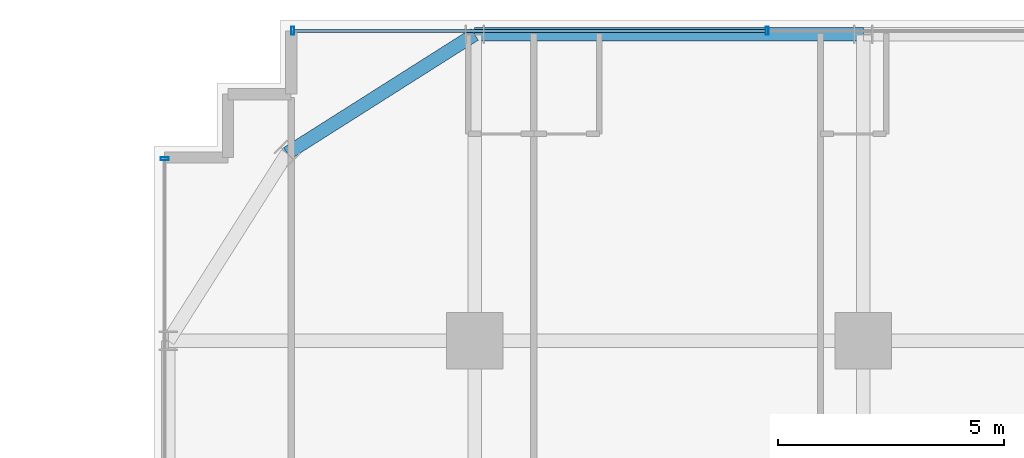
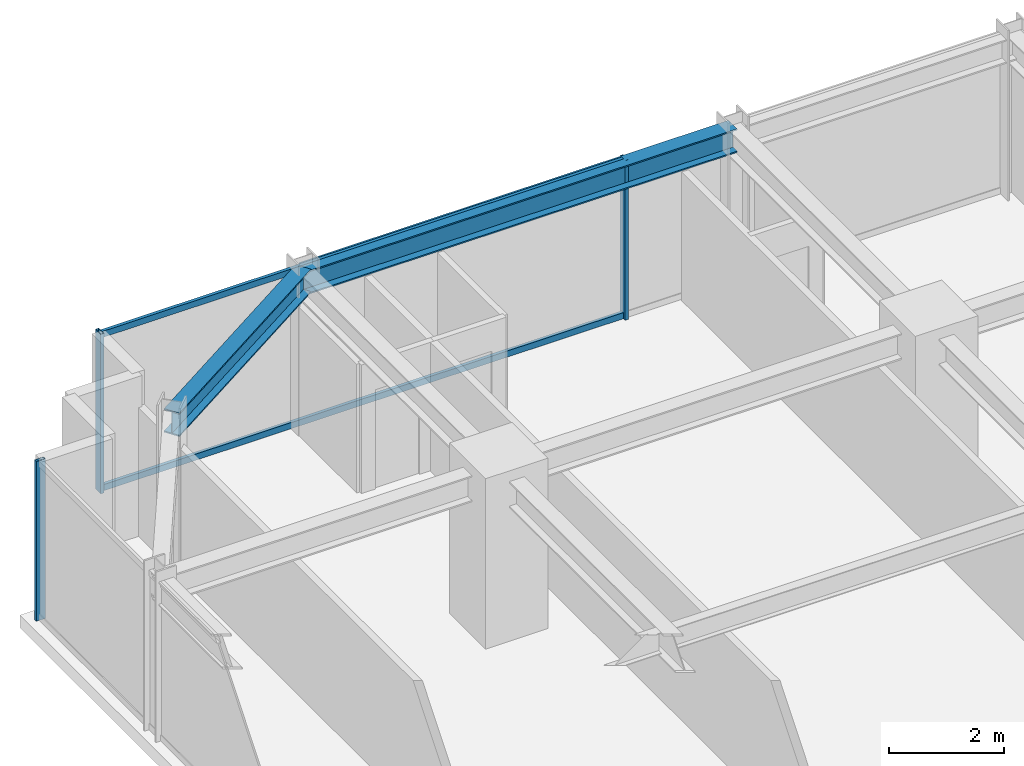
# One storey, part 19 of 32: 5 members, 2 beams, 2 elements without a shape of their own.
"""IFC4 building model written with IfcOpenShell, lengths in metres."""

from ifc_helpers import new_model, si_unit, direction, frame, origin, origin_2d, place, context, subcontext, project, spatial, hollow_rectangle, i_section, extrude, source, transform, mapped, material, material_profile, profile_set, type_object, element, aggregate, save


model = new_model("IFC4")

# Units and contexts
model_context = context("Model", 3, precision=1e-05, world=origin(), true_north=direction((0.0, 1.0)))
body_context = subcontext(model_context, "Body", "Model", "MODEL_VIEW")
ifc_project = project(units=[si_unit("LENGTHUNIT", "METRE"), si_unit("AREAUNIT", "SQUARE_METRE"), si_unit("VOLUMEUNIT", "CUBIC_METRE"), si_unit("PLANEANGLEUNIT", "RADIAN"), si_unit("MASSUNIT", "GRAM", prefix="KILO")], contexts=[model_context])

# Site, building, storey
site_placement = place(None, origin())
site = spatial("IfcSite", under=ifc_project, at=site_placement, CompositionType="ELEMENT")
building_placement = place(site_placement, origin())
building = spatial("IfcBuilding", under=site, at=building_placement, Name="Nahalor Promenade Grand Hotel", CompositionType="ELEMENT")
storey_placement = place(building_placement, frame((0.0, 0.0, 124.800048828125)))
storey = spatial("IfcBuildingStorey", under=building, at=storey_placement, Name="L31", CompositionType="ELEMENT", Elevation=124.800048828125)

# Beams
ifc_material_1 = material(Name="Steel S355JR", Category="steel")
ifc_material_profile_1 = material_profile(ifc_material_1, i_section(OverallWidth=0.3, OverallDepth=0.5, WebThickness=0.0145, FlangeThickness=0.028, at=origin_2d()), Name="HEB 500")
ifc_profile_set_1 = profile_set([ifc_material_profile_1], Name="Steel S355JR")
beam_type = type_object("IfcBeamType", Name="Beam-Spandrel-HEB500", PredefinedType="SPANDREL", material=ifc_profile_set_1)
shared_shape_1 = source(origin(), body_context, "Body", "SweptSolid", [
    extrude(i_section(OverallWidth=0.3, OverallDepth=0.5, WebThickness=0.0145, FlangeThickness=0.028, at=origin_2d()), origin(), (0.0, 0.0, 1.0), 8.60009765625),
])
beam_1_placement = place(storey_placement, frame((-17.0, 23.780029296875, 3.1298828125), z_axis=(1.0, 0.0, 0.0), x_axis=(0.0, 1.0, 0.0)))
element("IfcBeam", 1, at=beam_1_placement, inside=storey, type_object=beam_type, Name="BM-L31-SP-N-0", PredefinedType="SPANDREL", context=body_context, shape_type="MappedRepresentation", body=[
    mapped(shared_shape_1, transform((0.0, 0.0, 0.0), scale=1.0)),
])
shared_shape_2 = source(origin(), body_context, "Body", "SweptSolid", [
    extrude(i_section(OverallWidth=0.3, OverallDepth=0.5, WebThickness=0.0145, FlangeThickness=0.028, at=origin_2d()), origin(), (0.0, 0.0, 1.0), 4.9130859375),
])
beam_2_placement = place(storey_placement, frame((-17.0, 23.780029296875, 3.1298828125), z_axis=(-0.844648325505, -0.535321591403, 0.0), x_axis=(0.535321591403, -0.844648325505, 0.0)))
element("IfcBeam", 2, at=beam_2_placement, inside=storey, type_object=beam_type, Name="BM-L31-SPC-NW-1", PredefinedType="SPANDREL", context=body_context, shape_type="MappedRepresentation", body=[
    mapped(shared_shape_2, transform((0.0, 0.0, 0.0), scale=1.0)),
])

# Curtain wall, members
ifc_material_2 = material(Name="Anodised Bronze Aluminium EN AW-6063 T6", Category="aluminium")
curtain_wall_type = type_object("IfcCurtainWallType", Name="CW2 Typical Hotel Flush Bronze Unitised Curtain Wall", PredefinedType="USERDEFINED", material=ifc_material_2)
curtain_wall_1_placement = place(storey_placement, origin())
curtain_wall_1 = element("IfcCurtainWall", 3, at=curtain_wall_1_placement, inside=storey, type_object=curtain_wall_type, Name="L31 Curtain Wall CW-L31-N-1", ObjectType="UNITISED_CURTAIN_WALL", PredefinedType="USERDEFINED")
ifc_material_profile_2 = material_profile(ifc_material_2, hollow_rectangle(XDim=0.065, YDim=0.18, WallThickness=0.004, at=origin_2d()), Name="CWM 65x180x4")
ifc_profile_set_2 = profile_set([ifc_material_profile_2], Name="Anodised Bronze Aluminium EN AW-6063 T6")
member_type_1 = type_object("IfcMemberType", Name="CWM2 Typical Bronze Mullion 65x180", PredefinedType="MULLION", material=ifc_profile_set_2)
shared_shape_3 = source(origin(), body_context, "Body", "SweptSolid", [
    extrude(hollow_rectangle(XDim=0.065, YDim=0.18, WallThickness=0.004, at=origin_2d()), origin(), (0.0, 0.0, 1.0), 3.3798828125),
])
member_1_placement = place(storey_placement, frame((-21.027587890625, 23.860107421875, 0.0), z_axis=(0.0, 0.0, 1.0), x_axis=(1.0, 0.0, 0.0)))
member_1 = element("IfcMember", 4, at=member_1_placement, type_object=member_type_1, Name="CW-L31-N-1 Mullion 0", PredefinedType="MULLION", context=body_context, shape_type="MappedRepresentation", body=[
    mapped(shared_shape_3, transform((0.0, 0.0, 0.0), scale=1.0)),
])
member_2_placement = place(storey_placement, frame((-10.530029296875, 23.860107421875, 0.0), z_axis=(0.0, 0.0, 1.0), x_axis=(1.0, 0.0, 0.0)))
member_2 = element("IfcMember", 5, at=member_2_placement, type_object=member_type_1, Name="CW-L31-N-1 Mullion 1", PredefinedType="MULLION", context=body_context, shape_type="MappedRepresentation", body=[
    mapped(shared_shape_3, transform((0.0, 0.0, 0.0), scale=1.0)),
])

# Curtain wall, member
curtain_wall_2_placement = place(storey_placement, origin())
curtain_wall_2 = element("IfcCurtainWall", 6, at=curtain_wall_2_placement, inside=storey, type_object=curtain_wall_type, Name="L31 Curtain Wall CW-L31-W-3", ObjectType="UNITISED_CURTAIN_WALL", PredefinedType="USERDEFINED")
member_3_placement = place(storey_placement, frame((-23.860107421875, 21.027587890625, 0.0), z_axis=(0.0, 0.0, 1.0), x_axis=(0.0, 1.0, 0.0)))
member_3 = element("IfcMember", 7, at=member_3_placement, type_object=member_type_1, Name="CW-L31-W-3 Mullion 3", PredefinedType="MULLION", context=body_context, shape_type="MappedRepresentation", body=[
    mapped(shared_shape_3, transform((0.0, 0.0, 0.0), scale=1.0)),
])
aggregate(curtain_wall_2, [member_3])

# Member
ifc_material_profile_3 = material_profile(ifc_material_2, hollow_rectangle(XDim=0.065, YDim=0.13, WallThickness=0.004, at=origin_2d()), Name="CWT 65x130x4")
ifc_profile_set_3 = profile_set([ifc_material_profile_3], Name="Anodised Bronze Aluminium EN AW-6063 T6")
member_type_2 = type_object("IfcMemberType", Name="CWT2 Typical Bronze Transom 65x130", PredefinedType="USERDEFINED", material=ifc_profile_set_3)
shared_shape_4 = source(origin(), body_context, "Body", "SweptSolid", [
    extrude(hollow_rectangle(XDim=0.065, YDim=0.13, WallThickness=0.004, at=origin_2d()), origin(), (0.0, 0.0, 1.0), 10.4326171875),
])
member_4_placement = place(storey_placement, frame((-20.9951171875, 23.860107421875, 0.06494140625), z_axis=(1.0, 0.0, 0.0), x_axis=(0.0, 1.0, 0.0)))
member_4 = element("IfcMember", 8, at=member_4_placement, type_object=member_type_2, Name="CW-L31-N-1 Transom 0-0", ObjectType="TRANSOM", PredefinedType="USERDEFINED", context=body_context, shape_type="MappedRepresentation", body=[
    mapped(shared_shape_4, transform((0.0, 0.0, 0.0), scale=1.0)),
])

member_5_placement = place(storey_placement, frame((-20.9951171875, 23.860107421875, 3.31494140625), z_axis=(1.0, 0.0, 0.0), x_axis=(0.0, 1.0, 0.0)))
member_5 = element("IfcMember", 9, at=member_5_placement, type_object=member_type_2, Name="CW-L31-N-1 Transom 0-1", ObjectType="TRANSOM", PredefinedType="USERDEFINED", context=body_context, shape_type="MappedRepresentation", body=[
    mapped(shared_shape_4, transform((0.0, 0.0, 0.0), scale=1.0)),
])

aggregate(curtain_wall_1, [member_1, member_2, member_4, member_5])

save(model, "model.ifc")
